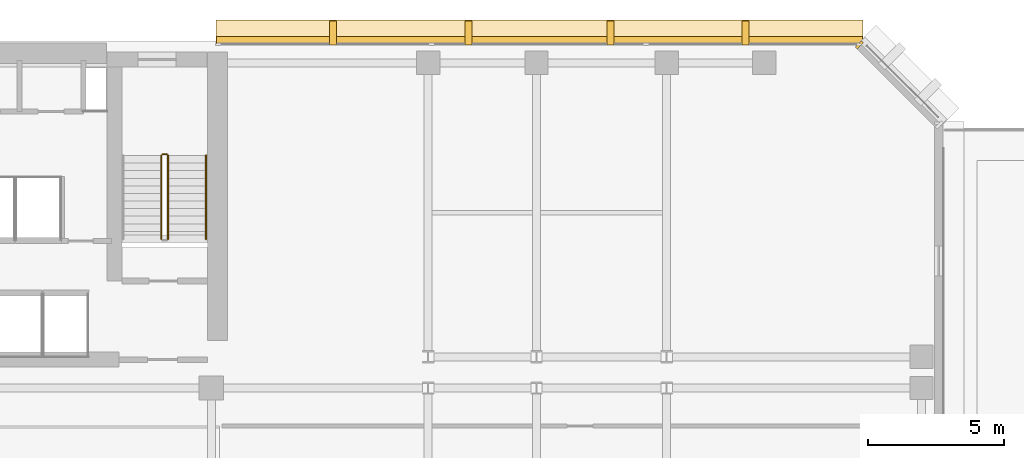
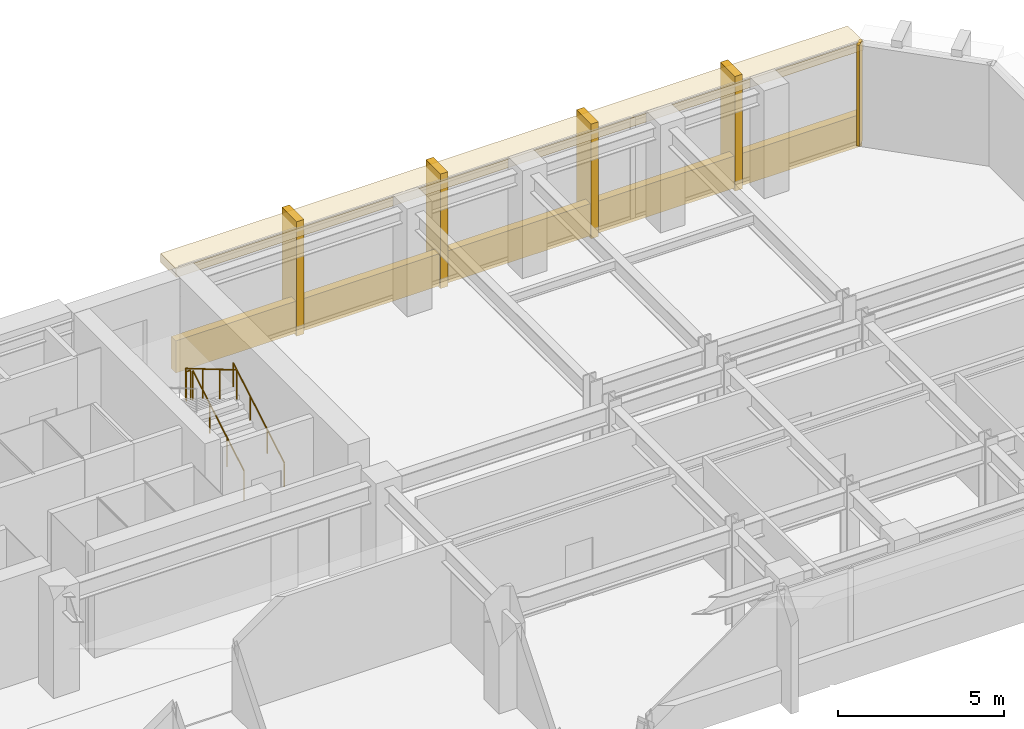
# One storey, part 11 of 12: 7 coverings, 4 railings.
"""IFC4 building model written with IfcOpenShell, lengths in metres."""

from ifc_helpers import new_model, si_unit, direction, frame, origin, origin_2d, place, context, subcontext, project, spatial, rectangle, circle, extrude, material, layer, layer_set, type_object, element, save


model = new_model("IFC4")

# Units and contexts
model_context = context("Model", 3, precision=1e-05, world=origin(), true_north=direction((0.0, 1.0)))
body_context = subcontext(model_context, "Body", "Model", "MODEL_VIEW")
ifc_project = project(units=[si_unit("LENGTHUNIT", "METRE"), si_unit("AREAUNIT", "SQUARE_METRE"), si_unit("VOLUMEUNIT", "CUBIC_METRE"), si_unit("PLANEANGLEUNIT", "RADIAN"), si_unit("MASSUNIT", "GRAM", prefix="KILO")], contexts=[model_context])

# Site, building, storey
site_placement = place(None, origin())
site = spatial("IfcSite", under=ifc_project, at=site_placement, CompositionType="ELEMENT")
building_placement = place(site_placement, origin())
building = spatial("IfcBuilding", under=site, at=building_placement, Name="Kefirva Bronze Tower", CompositionType="ELEMENT")
storey_placement = place(building_placement, frame((0.0, 0.0, 110.550048828125)))
storey = spatial("IfcBuildingStorey", under=building, at=storey_placement, Name="L26", CompositionType="ELEMENT", Elevation=110.550048828125)

# Coverings
ifc_material_1 = material(Name="Bronze anodised aluminium", Category="aluminium")
ifc_layer_1 = layer(ifc_material_1, 0.02001953125, Name="Bronze anodised aluminium")
ifc_layer_set_1 = layer_set([ifc_layer_1], Name="Bronze anodised aluminium")
covering_type_1 = type_object("IfcCoveringType", Name="Anodised Bronze Spandrel Cladding 20mm", PredefinedType="CLADDING", material=ifc_layer_set_1)
covering_1_placement = place(storey_placement, frame((47.11181640625, 45.862060546875, 0.0), z_axis=(0.0, 0.0, 1.0), x_axis=(-0.707106781187, 0.707106781187, 0.0)))
element("IfcCovering", 1, at=covering_1_placement, inside=storey, type_object=covering_type_1, Name="L26 Facade Joint Closure Panel 5E", PredefinedType="CLADDING", context=body_context, shape_type="SweptSolid", body=[
    extrude(rectangle(XDim=0.10009765625, YDim=0.320068359375, at=origin_2d()), origin(), (0.0, 0.0, 1.0), 3.7099609375),
])
covering_2_placement = place(storey_placement, frame((35.302490234375, 46.0400390625, -0.16015625), z_axis=(0.0, 0.0, 1.0), x_axis=(-1.0, 0.0, 0.0)))
element("IfcCovering", 2, at=covering_2_placement, inside=storey, type_object=covering_type_1, Name="L26 Streamline Horizontal Spandrel Band 8", PredefinedType="CLADDING", context=body_context, shape_type="SweptSolid", body=[
    extrude(rectangle(XDim=23.8349609375, YDim=0.280029296875, at=origin_2d()), origin(), (0.0, 0.0, 1.0), 1.179931640625),
])

# Railings
ifc_material_2 = material(Name="Stainless steel 316", Category="steel")
railing_type_1 = type_object("IfcRailingType", Name="Interior Stair Guardrail 1100mm", PredefinedType="GUARDRAIL", material=ifc_material_2)
railing_1_placement = place(storey_placement, frame((21.60009765625, 38.699951171875, 0.1650390625)))
element("IfcRailing", 3, at=railing_1_placement, inside=storey, type_object=railing_type_1, Name="L26 ST-2 stair guard 1", PredefinedType="GUARDRAIL", context=body_context, shape_type="SweptSolid", body=[
    extrude(circle(Radius=0.02392578125, at=origin_2d()), frame((0.0, 0.0, 1.076171875), z_axis=(0.0, 0.861551262678, 0.507670583921), x_axis=(-1.0, 0.0, 0.0)), (0.0, 0.0, 1.0), 3.574951171875),
    extrude(circle(Radius=0.02099609375, at=origin_2d()), origin(), (0.0, 0.0, 1.0), 1.052001953125),
    extrude(circle(Radius=0.02099609375, at=origin_2d()), frame((0.0, 1.026611328125, 0.60498046875)), (0.0, 0.0, 1.0), 1.052001953125),
    extrude(circle(Radius=0.02099609375, at=origin_2d()), frame((0.0, 2.053466796875, 1.2099609375)), (0.0, 0.0, 1.0), 1.052001953125),
    extrude(circle(Radius=0.02099609375, at=origin_2d()), frame((0.0, 3.080078125, 1.81494140625)), (0.0, 0.0, 1.0), 1.052001953125),
])
railing_2_placement = place(storey_placement, frame((21.550048828125, 41.830078125, 1.97998046875)))
element("IfcRailing", 4, at=railing_2_placement, inside=storey, type_object=railing_type_1, Name="L26 ST-2 stair guard 2", PredefinedType="GUARDRAIL", context=body_context, shape_type="SweptSolid", body=[
    extrude(circle(Radius=0.02392578125, at=origin_2d()), frame((0.0, 0.0, 1.076171875), z_axis=(-1.0, 0.0, 0.0), x_axis=(0.0, -1.0, 0.0)), (0.0, 0.0, 1.0), 0.150146484375),
    extrude(circle(Radius=0.02099609375, at=origin_2d()), origin(), (0.0, 0.0, 1.0), 1.052001953125),
    extrude(circle(Radius=0.02099609375, at=origin_2d()), frame((-0.150146484375, 0.0, 0.0)), (0.0, 0.0, 1.0), 1.052001953125),
])
railing_3_placement = place(storey_placement, frame((21.35009765625, 41.780029296875, 2.14501953125)))
element("IfcRailing", 5, at=railing_3_placement, inside=storey, type_object=railing_type_1, Name="L26 ST-2 stair guard 3", PredefinedType="GUARDRAIL", context=body_context, shape_type="SweptSolid", body=[
    extrude(circle(Radius=0.02392578125, at=origin_2d()), frame((0.0, 0.0, 1.076171875), z_axis=(0.0, -0.861551262678, 0.507670583921), x_axis=(1.0, 0.0, 0.0)), (0.0, 0.0, 1.0), 3.574951171875),
    extrude(circle(Radius=0.02099609375, at=origin_2d()), origin(), (0.0, 0.0, 1.0), 1.052001953125),
    extrude(circle(Radius=0.02099609375, at=origin_2d()), frame((0.0, -1.026611328125, 0.60498046875)), (0.0, 0.0, 1.0), 1.052001953125),
    extrude(circle(Radius=0.02099609375, at=origin_2d()), frame((0.0, -2.053466796875, 1.2099609375)), (0.0, 0.0, 1.0), 1.052001953125),
    extrude(circle(Radius=0.02099609375, at=origin_2d()), frame((0.0, -3.080078125, 1.81494140625)), (0.0, 0.0, 1.0), 1.052001953125),
])
railing_type_2 = type_object("IfcRailingType", Name="Stair Pitch Handrail 900mm", PredefinedType="HANDRAIL", material=ifc_material_2)
railing_4_placement = place(storey_placement, frame((23.0, 38.699951171875, 0.1650390625)))
element("IfcRailing", 6, at=railing_4_placement, inside=storey, type_object=railing_type_2, Name="L26 ST-2 stair handrail 1", PredefinedType="HANDRAIL", context=body_context, shape_type="SweptSolid", body=[
    extrude(circle(Radius=0.02392578125, at=origin_2d()), frame((0.0, 0.0, 0.8759765625), z_axis=(0.0, 0.861551262678, 0.507670583921), x_axis=(-1.0, 0.0, 0.0)), (0.0, 0.0, 1.0), 3.574951171875),
    extrude(circle(Radius=0.02099609375, at=origin_2d()), origin(), (0.0, 0.0, 1.0), 0.851806640625),
    extrude(circle(Radius=0.02099609375, at=origin_2d()), frame((0.0, 1.026611328125, 0.60498046875)), (0.0, 0.0, 1.0), 0.851806640625),
    extrude(circle(Radius=0.02099609375, at=origin_2d()), frame((0.0, 2.053466796875, 1.2099609375)), (0.0, 0.0, 1.0), 0.851806640625),
    extrude(circle(Radius=0.02099609375, at=origin_2d()), frame((0.0, 3.080078125, 1.81494140625)), (0.0, 0.0, 1.0), 0.851806640625),
])

# Coverings
ifc_layer_2 = layer(ifc_material_1, 0.179931640625, Name="Bronze anodised aluminium")
ifc_layer_set_2 = layer_set([ifc_layer_2], Name="Bronze anodised aluminium")
covering_type_2 = type_object("IfcCoveringType", Name="Streamline Bronze Sunshade Eyebrow Cladding 180mm", PredefinedType="CLADDING", material=ifc_layer_set_2)
covering_3_placement = place(storey_placement, frame((35.302490234375, 46.31005859375, 3.39013671875), z_axis=(0.0, 0.0, 1.0), x_axis=(-1.0, 0.0, 0.0)))
element("IfcCovering", 7, at=covering_3_placement, inside=storey, type_object=covering_type_2, Name="L26 Streamline Bronze Sunshade Eyebrow 8", PredefinedType="CLADDING", context=body_context, shape_type="SweptSolid", body=[
    extrude(rectangle(XDim=23.875, YDim=0.93994140625, at=origin_2d()), origin(), (0.0, 0.0, 1.0), 0.320068359375),
])
ifc_layer_3 = layer(ifc_material_1, 0.260009765625, Name="Bronze anodised aluminium")
ifc_layer_set_3 = layer_set([ifc_layer_3], Name="Bronze anodised aluminium")
covering_type_3 = type_object("IfcCoveringType", Name="Unbroken Bronze Buttress Fin Cladding 260mm", PredefinedType="CLADDING", material=ifc_layer_set_3)
for number, where, z_axis, x_axis, name in (
    (8, (42.9169921875, 46.300048828125, -0.25), (0.0, 0.0, 1.0), (-1.0, 0.0, 0.0), "L26 Unbroken Vertical Bronze Rib Fin 15"),
    (9, (37.919921875, 46.300048828125, -0.25), (0.0, 0.0, 1.0), (-1.0, 0.0, 0.0), "L26 Unbroken Vertical Bronze Rib Fin 16"),
    (10, (32.68505859375, 46.300048828125, -0.25), (0.0, 0.0, 1.0), (-1.0, 0.0, 0.0), "L26 Unbroken Vertical Bronze Rib Fin 17"),
    (11, (27.68798828125, 46.300048828125, -0.25), (0.0, 0.0, 1.0), (-1.0, 0.0, 0.0), "L26 Unbroken Vertical Bronze Rib Fin 18"),
):
    element("IfcCovering", number, at=place(storey_placement, frame(where, z_axis=z_axis, x_axis=x_axis)), inside=storey, type_object=covering_type_3, Name=name, PredefinedType="CLADDING", context=body_context, shape_type="SweptSolid", body=[
        extrude(rectangle(XDim=0.260009765625, YDim=0.8798828125, at=origin_2d()), origin(), (0.0, 0.0, 1.0), 4.2099609375),
    ])

save(model, "model.ifc")
